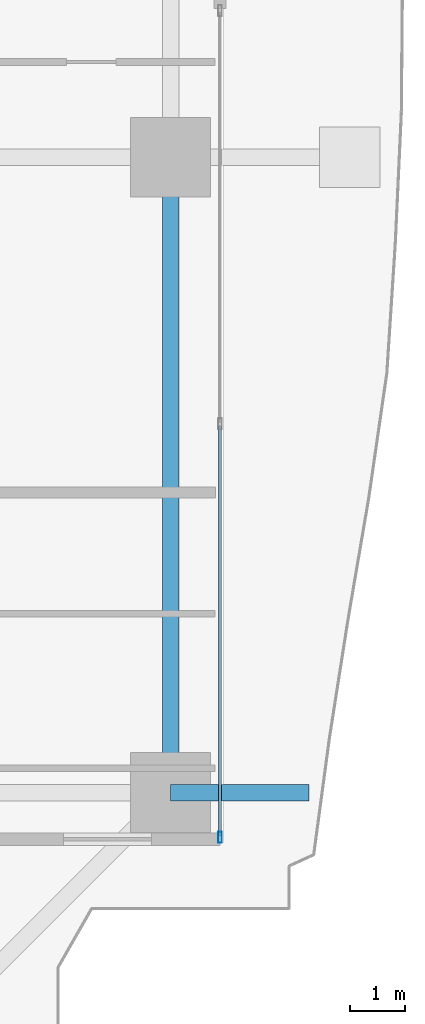
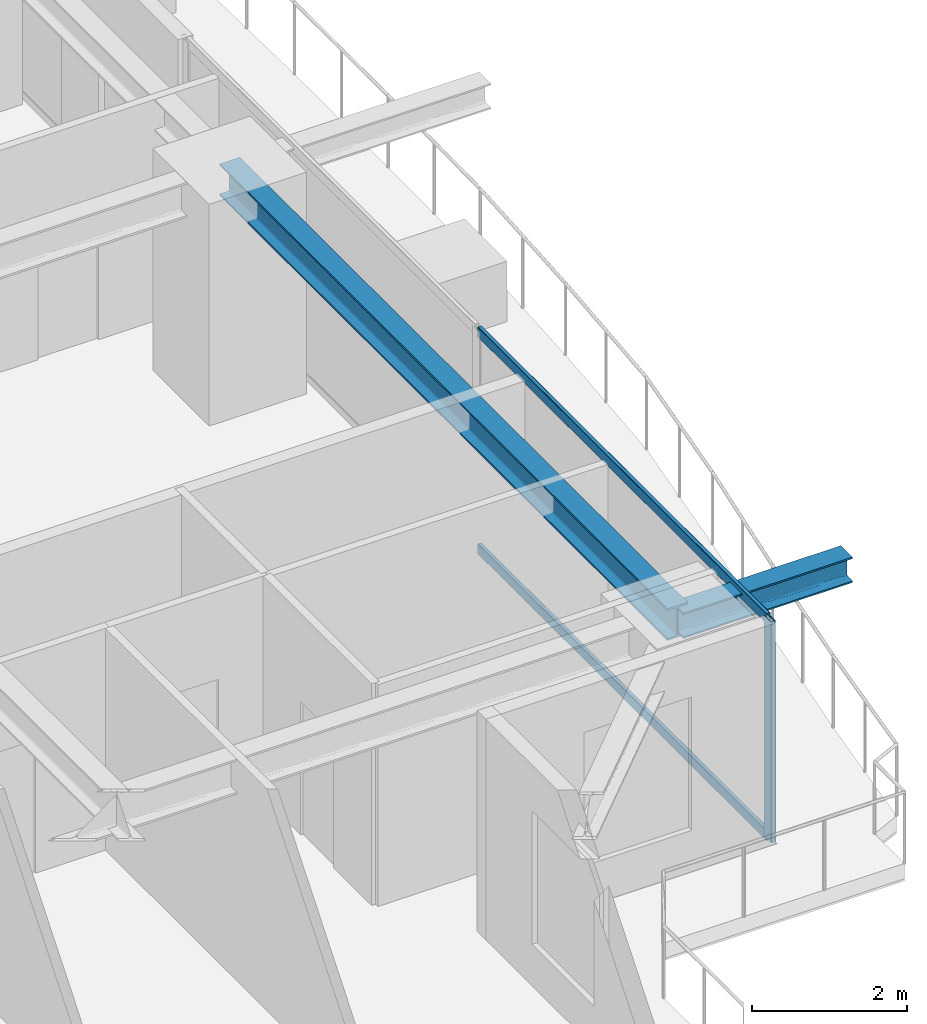
# One storey, part 12 of 37: 3 members, 2 beams, 1 element without a shape of its own.
"""IFC4 building model written with IfcOpenShell, lengths in metres."""

from ifc_helpers import new_model, si_unit, direction, frame, origin, origin_2d, place, context, subcontext, project, spatial, hollow_rectangle, i_section, extrude, source, transform, mapped, material, layer, layer_set, material_profile, profile_set, type_object, element, aggregate, save


model = new_model("IFC4")

# Units and contexts
model_context = context("Model", 3, precision=1e-05, world=origin(), true_north=direction((0.0, 1.0)))
body_context = subcontext(model_context, "Body", "Model", "MODEL_VIEW")
ifc_project = project(units=[si_unit("LENGTHUNIT", "METRE"), si_unit("AREAUNIT", "SQUARE_METRE"), si_unit("VOLUMEUNIT", "CUBIC_METRE"), si_unit("PLANEANGLEUNIT", "RADIAN"), si_unit("MASSUNIT", "GRAM", prefix="KILO")], contexts=[model_context])

# Site, building, storey
site_placement = place(None, origin())
site = spatial("IfcSite", under=ifc_project, at=site_placement, CompositionType="ELEMENT")
building_placement = place(site_placement, origin())
building = spatial("IfcBuilding", under=site, at=building_placement, Name="Serunith Strait Residences", CompositionType="ELEMENT")
storey_placement = place(building_placement, frame((0.0, 0.0, 34.199951171875)))
storey = spatial("IfcBuildingStorey", under=building, at=storey_placement, Name="L07", CompositionType="ELEMENT", Elevation=34.199951171875)

# Beams
ifc_material_1 = material(Name="Steel S355J2", Category="steel")
ifc_material_profile_1 = material_profile(ifc_material_1, i_section(OverallWidth=0.300048828125, OverallDepth=0.5, WebThickness=0.014404296875, FlangeThickness=0.028076171875, FilletRadius=0.027099609375, at=origin_2d()), Name="HEB 500")
ifc_profile_set_1 = profile_set([ifc_material_profile_1], Name="Steel S355J2")
beam_type_1 = type_object("IfcBeamType", Name="BM-HEB500", PredefinedType="BEAM", material=ifc_profile_set_1)
shared_shape_1 = source(origin(), body_context, "Body", "SweptSolid", [
    extrude(i_section(OverallWidth=0.300048828125, OverallDepth=0.5, WebThickness=0.014404296875, FlangeThickness=0.028076171875, FilletRadius=0.027099609375, at=origin_2d()), origin(), (0.0, 0.0, 1.0), 11.550048828125),
])
beam_1_placement = place(storey_placement, frame((57.89990234375, 9.449951171875, 3.237060546875), z_axis=(0.0, 1.0, 0.0), x_axis=(-1.0, 0.0, 0.0)))
element("IfcBeam", 1, at=beam_1_placement, inside=storey, type_object=beam_type_1, Name="L07 Perimeter Ring Beam 05", PredefinedType="BEAM", context=body_context, shape_type="MappedRepresentation", body=[
    mapped(shared_shape_1, transform((0.0, 0.0, 0.0), scale=1.0)),
])
ifc_material_profile_2 = material_profile(ifc_material_1, i_section(OverallWidth=0.300048828125, OverallDepth=0.39990234375, WebThickness=0.013427734375, FlangeThickness=0.02392578125, FilletRadius=0.027099609375, at=origin_2d()), Name="HEB 400")
ifc_profile_set_2 = profile_set([ifc_material_profile_2], Name="Steel S355J2")
beam_type_2 = type_object("IfcBeamType", Name="BM-HEB400", PredefinedType="BEAM", material=ifc_profile_set_2)
shared_shape_2 = source(origin(), body_context, "Body", "SweptSolid", [
    extrude(i_section(OverallWidth=0.300048828125, OverallDepth=0.39990234375, WebThickness=0.013427734375, FlangeThickness=0.02392578125, FilletRadius=0.027099609375, at=origin_2d()), origin(), (0.0, 0.0, 1.0), 2.5185546875),
])
beam_2_placement = place(storey_placement, frame((57.89990234375, 9.449951171875, 3.257080078125), z_axis=(1.0, 0.0, 0.0), x_axis=(0.0, 1.0, 0.0)))
element("IfcBeam", 2, at=beam_2_placement, inside=storey, type_object=beam_type_2, Name="L08 Cantilevered Balcony Rib TC-E1", PredefinedType="BEAM", context=body_context, shape_type="MappedRepresentation", body=[
    mapped(shared_shape_2, transform((0.0, 0.0, 0.0), scale=1.0)),
])

# Curtain wall, members
ifc_material_2 = material(Name="Pale-Champagne Anodised Aluminium", Category="aluminium")
ifc_layer = layer(ifc_material_2, 0.199951171875, Name="Pale-Champagne Anodised Aluminium")
ifc_layer_set = layer_set([ifc_layer], Name="Pale-Champagne Anodised Aluminium")
curtain_wall_type = type_object("IfcCurtainWallType", Name="CW-SYS1", PredefinedType="NOTDEFINED", material=ifc_layer_set)
curtain_wall_placement = place(storey_placement, origin())
curtain_wall = element("IfcCurtainWall", 3, at=curtain_wall_placement, inside=storey, type_object=curtain_wall_type, Name="L07 E Unitised Fritted Curtain Wall", PredefinedType="NOTDEFINED")
ifc_material_profile_3 = material_profile(ifc_material_2, hollow_rectangle(XDim=0.070068359375, YDim=0.199951171875, WallThickness=0.00390625, InnerFilletRadius=0.006103515625, OuterFilletRadius=0.010009765625, at=origin_2d()), Name="ALU 200x70x4")
ifc_profile_set_3 = profile_set([ifc_material_profile_3], Name="Pale-Champagne Anodised Aluminium")
member_type_1 = type_object("IfcMemberType", Name="CW-SYS1-MULL", PredefinedType="MULLION", material=ifc_profile_set_3)
shared_shape_3 = source(origin(), body_context, "Body", "SweptSolid", [
    extrude(hollow_rectangle(XDim=0.070068359375, YDim=0.199951171875, WallThickness=0.00390625, InnerFilletRadius=0.006103515625, OuterFilletRadius=0.010009765625, at=origin_2d()), origin(), (0.0, 0.0, 1.0), 3.47509765625),
])
member_1_placement = place(storey_placement, frame((58.800048828125, 8.635009765625, 0.0), z_axis=(0.0, 0.0, 1.0), x_axis=(-1.0, 0.0, 0.0)))
member_1 = element("IfcMember", 4, at=member_1_placement, type_object=member_type_1, Name="CW-1 mullion 1", PredefinedType="MULLION", context=body_context, shape_type="MappedRepresentation", body=[
    mapped(shared_shape_3, transform((0.0, 0.0, 0.0), scale=1.0)),
])
ifc_material_profile_4 = material_profile(ifc_material_2, hollow_rectangle(XDim=0.06005859375, YDim=0.159912109375, WallThickness=0.00341796875, InnerFilletRadius=0.00537109375, OuterFilletRadius=0.0087890625, at=origin_2d()), Name="ALU 160x60x3.5")
ifc_profile_set_4 = profile_set([ifc_material_profile_4], Name="Pale-Champagne Anodised Aluminium")
member_type_2 = type_object("IfcMemberType", Name="CW-SYS1-TRAN", PredefinedType="USERDEFINED", material=ifc_profile_set_4)
shared_shape_4 = source(origin(), body_context, "Body", "SweptSolid", [
    extrude(hollow_rectangle(XDim=0.06005859375, YDim=0.159912109375, WallThickness=0.00341796875, InnerFilletRadius=0.00537109375, OuterFilletRadius=0.0087890625, at=origin_2d()), origin(), (0.0, 0.0, 1.0), 7.445068359375),
])
member_2_placement = place(storey_placement, frame((58.800048828125, 8.669921875, 0.030029296875), z_axis=(0.0, 1.0, 0.0), x_axis=(-1.0, 0.0, 0.0)))
member_2 = element("IfcMember", 5, at=member_2_placement, type_object=member_type_2, Name="CW-1 transom 1.1", ObjectType="TRANSOM", PredefinedType="USERDEFINED", context=body_context, shape_type="MappedRepresentation", body=[
    mapped(shared_shape_4, transform((0.0, 0.0, 0.0), scale=1.0)),
])
member_3_placement = place(storey_placement, frame((58.800048828125, 8.669921875, 3.445068359375), z_axis=(0.0, 1.0, 0.0), x_axis=(-1.0, 0.0, 0.0)))
member_3 = element("IfcMember", 6, at=member_3_placement, type_object=member_type_2, Name="CW-1 transom 1.2", ObjectType="TRANSOM", PredefinedType="USERDEFINED", context=body_context, shape_type="MappedRepresentation", body=[
    mapped(shared_shape_4, transform((0.0, 0.0, 0.0), scale=1.0)),
])
aggregate(curtain_wall, [member_1, member_2, member_3])

save(model, "model.ifc")
